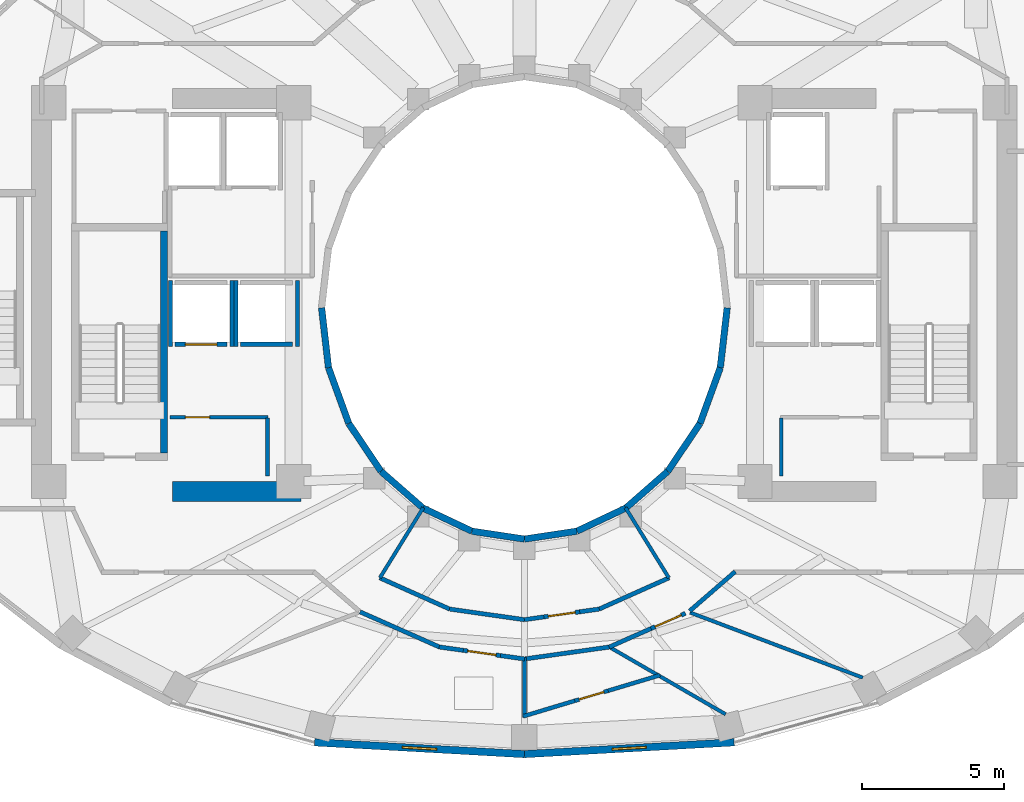
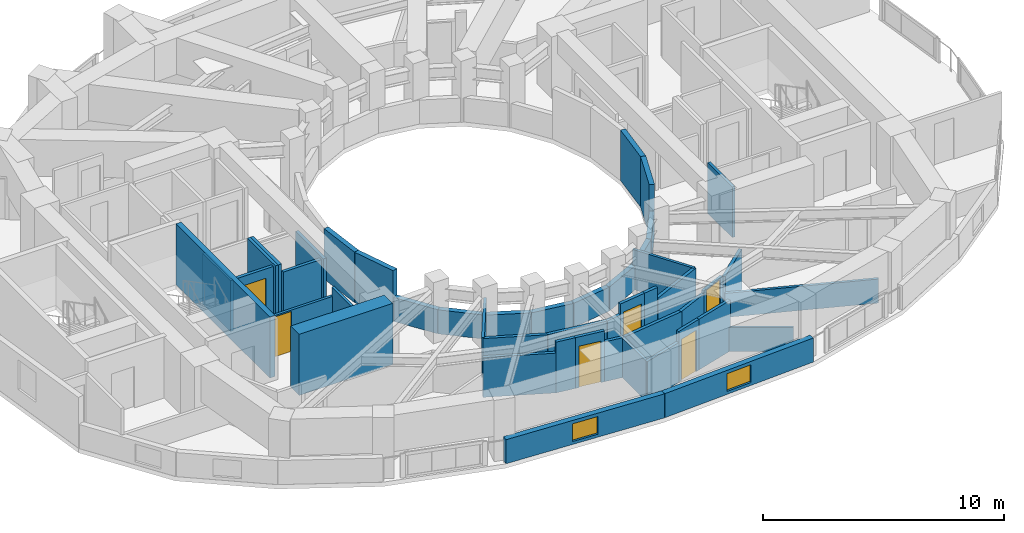
# One storey, part 14 of 20: 47 walls, 6 doors, 2 windows, 8 openings.
"""IFC4 building model written with IfcOpenShell, lengths in metres."""

from ifc_helpers import new_model, si_unit, direction, frame, frame_2d, origin, place, context, subcontext, project, spatial, rectangle, extrude, material, layer, layer_set, type_object, element, fill, save


model = new_model("IFC4")

# Units and contexts
model_context = context("Model", 3, precision=1e-05, world=origin(), true_north=direction((0.0, 1.0)))
body_context = subcontext(model_context, "Body", "Model", "MODEL_VIEW")
ifc_project = project(units=[si_unit("LENGTHUNIT", "METRE"), si_unit("AREAUNIT", "SQUARE_METRE"), si_unit("VOLUMEUNIT", "CUBIC_METRE"), si_unit("PLANEANGLEUNIT", "RADIAN"), si_unit("MASSUNIT", "GRAM", prefix="KILO")], contexts=[model_context])

# Site, building, storey
site_placement = place(None, origin())
site = spatial("IfcSite", under=ifc_project, at=site_placement, CompositionType="ELEMENT")
building_placement = place(site_placement, origin())
building = spatial("IfcBuilding", under=site, at=building_placement, Name="Solvane Sanctuary Tower", CompositionType="ELEMENT")
storey_placement = place(building_placement, frame((0.0, 0.0, 159.10009765625)))
storey = spatial("IfcBuildingStorey", under=building, at=storey_placement, Name="L48", CompositionType="ELEMENT", Elevation=159.10009765625)

# Walls
ifc_material_1 = material(Name="Concrete C60/75", Category="concrete")
ifc_layer_1 = layer(ifc_material_1, 0.699951171875, Name="Concrete C60/75")
ifc_layer_set_1 = layer_set([ifc_layer_1], Name="Concrete C60/75")
wall_type_1 = type_object("IfcWallType", Name="Wall W-CORE-700", PredefinedType="SHEAR", material=ifc_layer_set_1)
wall_1_placement = place(storey_placement, frame((19.64990234375, 16.550048828125, 0.0), z_axis=(0.0, 0.0, 1.0), x_axis=(1.0, 0.0, 0.0)))
element("IfcWall", 1, at=wall_1_placement, inside=storey, type_object=wall_type_1, Name="L48 Core Shear Wall WC-S", PredefinedType="SHEAR", context=body_context, shape_type="SweptSolid", body=[
    extrude(rectangle(XDim=4.5, YDim=0.699951171875, at=frame_2d((2.25, 0.0))), origin(), (0.0, 0.0, 1.0), 3.099853515625),
])
ifc_material_2 = material(Name="Acoustic Gypsum Partition Board")
ifc_layer_2 = layer(ifc_material_2, 0.14990234375, Name="Acoustic Gypsum Partition Board")
ifc_layer_set_2 = layer_set([ifc_layer_2], Name="Acoustic Gypsum Partition Board")
wall_type_2 = type_object("IfcWallType", Name="Wall W-CORR-150", PredefinedType="PARTITIONING", material=ifc_layer_set_2)
wall_2_placement = place(storey_placement, frame((37.806640625, 12.35791015625, 0.0), z_axis=(0.0, 0.0, 1.0), x_axis=(0.756055312247, 0.654507727092, 0.0)))
element("IfcWall", 2, at=wall_2_placement, inside=storey, type_object=wall_type_2, Name="L48 SE Corner Throat Wall", PredefinedType="PARTITIONING", context=body_context, shape_type="SweptSolid", body=[
    extrude(rectangle(XDim=2.11083984375, YDim=0.14990234375, at=frame_2d((1.055419921875, 0.0))), origin(), (0.0, 0.0, 1.0), 2.018798828125),
])
wall_3_placement = place(storey_placement, frame((26.9189453125, 13.520751953125, 0.0), z_axis=(0.0, 0.0, 1.0), x_axis=(0.912888568324, -0.408208845842, 0.0)))
element("IfcWall", 3, at=wall_3_placement, inside=storey, type_object=wall_type_2, Name="L48 Inner Light-Well Corridor Wall S1", PredefinedType="PARTITIONING", context=body_context, shape_type="SweptSolid", body=[
    extrude(rectangle(XDim=2.690185546875, YDim=0.14990234375, at=frame_2d((1.34521484375, 0.0))), origin(), (0.0, 0.0, 1.0), 2.018798828125),
])
wall_4_placement = place(storey_placement, frame((29.371337890625, 12.423583984375, 0.0), z_axis=(0.0, 0.0, 1.0), x_axis=(0.990066775667, -0.1405979364, 0.0)))
element("IfcWall", 4, at=wall_4_placement, inside=storey, type_object=wall_type_2, Name="L48 Inner Light-Well Corridor Wall S1", PredefinedType="PARTITIONING", context=body_context, shape_type="SweptSolid", body=[
    extrude(rectangle(XDim=2.65673828125, YDim=0.14990234375, at=frame_2d((1.328369140625, 0.0))), origin(), (0.0, 0.0, 1.0), 2.018798828125),
])
wall_5_placement = place(storey_placement, frame((31.998291015625, 12.050048828125, 0.0), z_axis=(0.0, 0.0, 1.0), x_axis=(0.990082845611, 0.140484728093, 0.0)))
element("IfcWall", 5, at=wall_5_placement, inside=storey, type_object=wall_type_2, Name="L48 Inner Light-Well Corridor Wall S1", PredefinedType="PARTITIONING", context=body_context, shape_type="SweptSolid", body=[
    extrude(rectangle(XDim=0.693359375, YDim=0.14990234375, at=frame_2d((0.3466796875, 0.0))), origin(), (0.0, 0.0, 1.0), 2.018798828125),
])

# Wall, opening, door
wall_6_placement = place(storey_placement, frame((32.684814453125, 12.1474609375, 0.0), z_axis=(0.0, 0.0, 1.0), x_axis=(0.990049212475, 0.140721557967, 0.0)))
wall_6 = element("IfcWall", 6, at=wall_6_placement, inside=storey, type_object=wall_type_2, Name="L48 Inner Light-Well Corridor Wall S1", PredefinedType="PARTITIONING", context=body_context, shape_type="SweptSolid", body=[
    extrude(rectangle(XDim=1.27001953125, YDim=0.14990234375, at=frame_2d((0.635009765625, 0.0))), origin(), (0.0, 0.0, 1.0), 2.574951171875),
])
opening_1_placement = place(wall_6_placement, frame((0.159912109375, 0.0, 0.0)))
opening_1 = element("IfcOpeningElement", 7, at=opening_1_placement, cuts=wall_6, Name="Opening D-L48-17", PredefinedType="OPENING", context=body_context, shape_type="SweptSolid", body=[
    extrude(rectangle(XDim=0.949951171875, YDim=2.10009765625, at=frame_2d((0.47509765625, 1.050048828125))), frame((0.0, 0.0849609375, 0.0), z_axis=(0.0, -1.0, 0.0), x_axis=(1.0, 0.0, 0.0)), (0.0, 0.0, 1.0), 0.169921875),
])
ifc_material_3 = material(Name="Engineered Tropical Hardwood", Category="wood")
door_type_1 = type_object("IfcDoorType", Name="Door D-ROOM-950", OperationType="NOTDEFINED", PredefinedType="DOOR", material=ifc_material_3)
door_1_placement = place(opening_1_placement, origin())
door_1 = element("IfcDoor", 8, at=door_1_placement, inside=storey, type_object=door_type_1, Name="L48 Inner Light-Well Salon Door S1", OperationType="SINGLE_SWING_RIGHT", OverallHeight=2.10009765625, OverallWidth=0.949951171875, PredefinedType="DOOR", context=body_context, shape_type="SweptSolid", body=[
    extrude(rectangle(XDim=0.949951171875, YDim=2.10009765625, at=frame_2d((0.47509765625, 1.050048828125))), frame((0.0, 0.02490234375, 0.0), z_axis=(0.0, -1.0, 0.0), x_axis=(1.0, 0.0, 0.0)), (0.0, 0.0, 1.0), 0.050048828125),
])
fill(opening_1, door_1)

# Walls
wall_7_placement = place(storey_placement, frame((33.942138671875, 12.326171875, 0.0), z_axis=(0.0, 0.0, 1.0), x_axis=(0.990082845611, 0.140484728093, 0.0)))
element("IfcWall", 9, at=wall_7_placement, inside=storey, type_object=wall_type_2, Name="L48 Inner Light-Well Corridor Wall S1", PredefinedType="PARTITIONING", context=body_context, shape_type="SweptSolid", body=[
    extrude(rectangle(XDim=0.693359375, YDim=0.14990234375, at=frame_2d((0.3466796875, 0.0))), origin(), (0.0, 0.0, 1.0), 2.574951171875),
])
wall_8_placement = place(storey_placement, frame((34.625244140625, 12.422607421875, 0.0), z_axis=(0.0, 0.0, 1.0), x_axis=(0.912888568324, 0.408208845842, 0.0)))
element("IfcWall", 10, at=wall_8_placement, inside=storey, type_object=wall_type_2, Name="L48 Inner Light-Well Corridor Wall S1", PredefinedType="PARTITIONING", context=body_context, shape_type="SweptSolid", body=[
    extrude(rectangle(XDim=2.690185546875, YDim=0.14990234375, at=frame_2d((1.34521484375, 0.0))), origin(), (0.0, 0.0, 1.0), 2.018798828125),
])
wall_9_placement = place(storey_placement, frame((31.950439453125, 10.6630859375, 0.0), z_axis=(0.0, 0.0, 1.0), x_axis=(0.990234434447, 0.139412211929, 0.0)))
element("IfcWall", 11, at=wall_9_placement, inside=storey, type_object=wall_type_2, Name="L48 En-suite Inner Wall S1", PredefinedType="PARTITIONING", context=body_context, shape_type="SweptSolid", body=[
    extrude(rectangle(XDim=3.11376953125, YDim=0.14990234375, at=frame_2d((1.556884765625, 0.0))), origin(), (0.0, 0.0, 1.0), 2.018798828125),
])
wall_10_placement = place(storey_placement, frame((26.22802734375, 12.326171875, 0.0), z_axis=(0.0, 0.0, 1.0), x_axis=(0.914324470734, -0.404982422108, 0.0)))
element("IfcWall", 12, at=wall_10_placement, inside=storey, type_object=wall_type_2, Name="L48 Unit Corridor Wall S1", PredefinedType="PARTITIONING", context=body_context, shape_type="SweptSolid", body=[
    extrude(rectangle(XDim=3.0576171875, YDim=0.14990234375, at=frame_2d((1.52880859375, 0.0))), origin(), (0.0, 0.0, 1.0), 2.018798828125),
])
wall_11_placement = place(storey_placement, frame((29.008056640625, 11.09228515625, 0.0), z_axis=(0.0, 0.0, 1.0), x_axis=(0.990238723834, -0.139381741342, 0.0)))
element("IfcWall", 13, at=wall_11_placement, inside=storey, type_object=wall_type_2, Name="L48 Unit Corridor Wall S1", PredefinedType="PARTITIONING", context=body_context, shape_type="SweptSolid", body=[
    extrude(rectangle(XDim=0.854736328125, YDim=0.14990234375, at=frame_2d((0.42724609375, 0.0))), origin(), (0.0, 0.0, 1.0), 2.574951171875),
])

# Wall, opening, door
wall_12_placement = place(storey_placement, frame((29.8544921875, 10.97314453125, 0.0), z_axis=(0.0, 0.0, 1.0), x_axis=(0.990254187593, -0.139271834751, 0.0)))
wall_12 = element("IfcWall", 14, at=wall_12_placement, inside=storey, type_object=wall_type_2, Name="L48 Unit Corridor Wall S1", PredefinedType="PARTITIONING", context=body_context, shape_type="SweptSolid", body=[
    extrude(rectangle(XDim=1.320068359375, YDim=0.14990234375, at=frame_2d((0.66015625, 0.0))), origin(), (0.0, 0.0, 1.0), 2.574951171875),
])
opening_2_placement = place(wall_12_placement, frame((0.159912109375, 0.0, 0.0)))
opening_2 = element("IfcOpeningElement", 15, at=opening_2_placement, cuts=wall_12, Name="Opening D-L48-22", PredefinedType="OPENING", context=body_context, shape_type="SweptSolid", body=[
    extrude(rectangle(XDim=1.0, YDim=2.10009765625, at=frame_2d((0.5, 1.050048828125))), frame((0.0, 0.0849609375, 0.0), z_axis=(0.0, -1.0, 0.0), x_axis=(1.0, 0.0, 0.0)), (0.0, 0.0, 1.0), 0.169921875),
])
door_type_2 = type_object("IfcDoorType", Name="Door D-UNIT", OperationType="NOTDEFINED", PredefinedType="DOOR", material=ifc_material_3)
door_2_placement = place(opening_2_placement, origin())
door_2 = element("IfcDoor", 16, at=door_2_placement, inside=storey, type_object=door_type_2, Name="L48 Unit Entrance Door S1", OperationType="SINGLE_SWING_LEFT", OverallHeight=2.10009765625, OverallWidth=1.0, PredefinedType="DOOR", context=body_context, shape_type="SweptSolid", body=[
    extrude(rectangle(XDim=1.0, YDim=2.10009765625, at=frame_2d((0.5, 1.050048828125))), frame((0.0, 0.02490234375, 0.0), z_axis=(0.0, -1.0, 0.0), x_axis=(1.0, 0.0, 0.0)), (0.0, 0.0, 1.0), 0.050048828125),
])
fill(opening_2, door_2)

# Walls
wall_13_placement = place(storey_placement, frame((31.16162109375, 10.789306640625, 0.0), z_axis=(0.0, 0.0, 1.0), x_axis=(0.990199264419, -0.139661794145, 0.0)))
element("IfcWall", 17, at=wall_13_placement, inside=storey, type_object=wall_type_2, Name="L48 Unit Corridor Wall S1", PredefinedType="PARTITIONING", context=body_context, shape_type="SweptSolid", body=[
    extrude(rectangle(XDim=0.854736328125, YDim=0.14990234375, at=frame_2d((0.42724609375, 0.0))), origin(), (0.0, 0.0, 1.0), 2.018798828125),
])
wall_14_placement = place(storey_placement, frame((34.976318359375, 11.087890625, 0.0), z_axis=(0.0, 0.0, 1.0), x_axis=(0.914324480558, 0.404982399928, 0.0)))
element("IfcWall", 18, at=wall_14_placement, inside=storey, type_object=wall_type_2, Name="L48 Unit Corridor Wall S2", PredefinedType="PARTITIONING", context=body_context, shape_type="SweptSolid", body=[
    extrude(rectangle(XDim=1.607177734375, YDim=0.14990234375, at=frame_2d((0.8037109375, 0.0))), origin(), (0.0, 0.0, 1.0), 2.018798828125),
])

# Wall, opening, door
wall_15_placement = place(storey_placement, frame((36.44580078125, 11.73876953125, 0.0), z_axis=(0.0, 0.0, 1.0), x_axis=(0.914314172667, 0.405005671145, 0.0)))
wall_15 = element("IfcWall", 19, at=wall_15_placement, inside=storey, type_object=wall_type_2, Name="L48 Unit Corridor Wall S2", PredefinedType="PARTITIONING", context=body_context, shape_type="SweptSolid", body=[
    extrude(rectangle(XDim=1.320068359375, YDim=0.14990234375, at=frame_2d((0.66015625, 0.0))), origin(), (0.0, 0.0, 1.0), 2.159912109375),
])
opening_3_placement = place(wall_15_placement, frame((0.159912109375, 0.0, 0.0)))
opening_3 = element("IfcOpeningElement", 20, at=opening_3_placement, cuts=wall_15, Name="Opening D-L48-23", PredefinedType="OPENING", context=body_context, shape_type="SweptSolid", body=[
    extrude(rectangle(XDim=1.0, YDim=2.10009765625, at=frame_2d((0.5, 1.050048828125))), frame((0.0, 0.0849609375, 0.0), z_axis=(0.0, -1.0, 0.0), x_axis=(1.0, 0.0, 0.0)), (0.0, 0.0, 1.0), 0.169921875),
])
door_3_placement = place(opening_3_placement, origin())
door_3 = element("IfcDoor", 21, at=door_3_placement, inside=storey, type_object=door_type_2, Name="L48 Unit Entrance Door S2", OperationType="SINGLE_SWING_RIGHT", OverallHeight=2.10009765625, OverallWidth=1.0, PredefinedType="DOOR", context=body_context, shape_type="SweptSolid", body=[
    extrude(rectangle(XDim=1.0, YDim=2.10009765625, at=frame_2d((0.5, 1.050048828125))), frame((0.0, 0.02490234375, 0.0), z_axis=(0.0, -1.0, 0.0), x_axis=(1.0, 0.0, 0.0)), (0.0, 0.0, 1.0), 0.050048828125),
])
fill(opening_3, door_3)

# Wall, opening, window
ifc_material_4 = material(Name="Precast concrete C40/50", Category="concrete")
ifc_layer_3 = layer(ifc_material_4, 0.260009765625, Name="Precast concrete C40/50")
ifc_layer_set_3 = layer_set([ifc_layer_3], Name="Precast concrete C40/50")
wall_type_3 = type_object("IfcWallType", Name="Wall W-EXT-250", PredefinedType="STANDARD", material=ifc_layer_set_3)
wall_16_placement = place(storey_placement, frame((24.634765625, 7.743408203125, 0.0), z_axis=(0.0, 0.0, 1.0), x_axis=(0.998417906562, -0.056228852534, 0.0)))
wall_16 = element("IfcWall", 22, at=wall_16_placement, inside=storey, type_object=wall_type_3, Name="L48 Ceramic-Printed Facade Wall 17", PredefinedType="STANDARD", context=body_context, shape_type="SweptSolid", body=[
    extrude(rectangle(XDim=7.376953125, YDim=0.260009765625, at=frame_2d((3.6884765625, 0.0))), origin(), (0.0, 0.0, 1.0), 1.219970703125),
])
opening_4_placement = place(wall_16_placement, frame((3.08837890625, 0.0, 0.14990234375)))
opening_4 = element("IfcOpeningElement", 23, at=opening_4_placement, cuts=wall_16, Name="Opening WN-OPER-1200", PredefinedType="OPENING", context=body_context, shape_type="SweptSolid", body=[
    extrude(rectangle(XDim=1.199951171875, YDim=0.89990234375, at=frame_2d((0.60009765625, 0.449951171875))), frame((0.0, 0.139892578125, 0.0), z_axis=(0.0, -1.0, 0.0), x_axis=(1.0, 0.0, 0.0)), (0.0, 0.0, 1.0), 0.280029296875),
])
ifc_material_5 = material(Name="Dark Ceramic-Fritted Low-E Glass", Category="glass")
window_type = type_object("IfcWindowType", Name="Window WN-OPER-1200", PartitioningType="SINGLE_PANEL", PredefinedType="WINDOW", material=ifc_material_5)
window_1_placement = place(opening_4_placement, origin())
window_1 = element("IfcWindow", 24, at=window_1_placement, inside=storey, type_object=window_type, Name="L48 Operable Facade Window 17", OverallHeight=0.89990234375, OverallWidth=1.199951171875, PartitioningType="SINGLE_PANEL", PredefinedType="WINDOW", context=body_context, shape_type="SweptSolid", body=[
    extrude(rectangle(XDim=1.199951171875, YDim=0.89990234375, at=frame_2d((0.60009765625, 0.449951171875))), frame((0.0, 0.030029296875, 0.0), z_axis=(0.0, -1.0, 0.0), x_axis=(1.0, 0.0, 0.0)), (0.0, 0.0, 1.0), 0.06005859375),
])
fill(opening_4, window_1)

wall_17_placement = place(storey_placement, frame((32.0, 7.32861328125, 0.0), z_axis=(0.0, 0.0, 1.0), x_axis=(0.998417906562, 0.056228852534, 0.0)))
wall_17 = element("IfcWall", 25, at=wall_17_placement, inside=storey, type_object=wall_type_3, Name="L48 Ceramic-Printed Facade Wall 18", PredefinedType="STANDARD", context=body_context, shape_type="SweptSolid", body=[
    extrude(rectangle(XDim=7.376953125, YDim=0.260009765625, at=frame_2d((3.6884765625, 0.0))), origin(), (0.0, 0.0, 1.0), 1.219970703125),
])
opening_5_placement = place(wall_17_placement, frame((3.08837890625, 0.0, 0.14990234375)))
opening_5 = element("IfcOpeningElement", 26, at=opening_5_placement, cuts=wall_17, Name="Opening WN-OPER-1200", PredefinedType="OPENING", context=body_context, shape_type="SweptSolid", body=[
    extrude(rectangle(XDim=1.199951171875, YDim=0.89990234375, at=frame_2d((0.60009765625, 0.449951171875))), frame((0.0, 0.139892578125, 0.0), z_axis=(0.0, -1.0, 0.0), x_axis=(1.0, 0.0, 0.0)), (0.0, 0.0, 1.0), 0.280029296875),
])
window_2_placement = place(opening_5_placement, origin())
window_2 = element("IfcWindow", 27, at=window_2_placement, inside=storey, type_object=window_type, Name="L48 Operable Facade Window 18", OverallHeight=0.89990234375, OverallWidth=1.199951171875, PartitioningType="SINGLE_PANEL", PredefinedType="WINDOW", context=body_context, shape_type="SweptSolid", body=[
    extrude(rectangle(XDim=1.199951171875, YDim=0.89990234375, at=frame_2d((0.60009765625, 0.449951171875))), frame((0.0, 0.030029296875, 0.0), z_axis=(0.0, -1.0, 0.0), x_axis=(1.0, 0.0, 0.0)), (0.0, 0.0, 1.0), 0.06005859375),
])
fill(opening_5, window_2)

# Walls
ifc_layer_4 = layer(ifc_material_4, 0.22998046875, Name="Precast concrete C40/50")
ifc_layer_set_4 = layer_set([ifc_layer_4], Name="Precast concrete C40/50")
wall_type_4 = type_object("IfcWallType", Name="Wall W-EXT-SP220", PredefinedType="STANDARD", material=ifc_layer_set_4)
wall_18_placement = place(storey_placement, frame((24.8798828125, 23.0, 0.0), z_axis=(0.0, 0.0, 1.0), x_axis=(0.114711713601, -0.993398823617, 0.0)))
element("IfcWall", 28, at=wall_18_placement, inside=storey, type_object=wall_type_4, Name="L48 Central Light-Well Wall 12", PredefinedType="STANDARD", context=body_context, shape_type="SweptSolid", body=[
    extrude(rectangle(XDim=2.115478515625, YDim=0.22998046875, at=frame_2d((1.0576171875, 0.0))), origin(), (0.0, 0.0, 1.0), 2.559814453125),
])
wall_19_placement = place(storey_placement, frame((25.12255859375, 20.8984375, 0.0), z_axis=(0.0, 0.0, 1.0), x_axis=(0.341423187295, -0.93990968033, 0.0)))
element("IfcWall", 29, at=wall_19_placement, inside=storey, type_object=wall_type_4, Name="L48 Central Light-Well Wall 13", PredefinedType="STANDARD", context=body_context, shape_type="SweptSolid", body=[
    extrude(rectangle(XDim=2.083740234375, YDim=0.22998046875, at=frame_2d((1.0419921875, 0.0))), origin(), (0.0, 0.0, 1.0), 2.559814453125),
])
wall_20_placement = place(storey_placement, frame((25.833984375, 18.93994140625, 0.0), z_axis=(0.0, 0.0, 1.0), x_axis=(0.558197800898, -0.829707909492, 0.0)))
element("IfcWall", 30, at=wall_20_placement, inside=storey, type_object=wall_type_4, Name="L48 Central Light-Well Wall 14", PredefinedType="STANDARD", context=body_context, shape_type="SweptSolid", body=[
    extrude(rectangle(XDim=2.02685546875, YDim=0.22998046875, at=frame_2d((1.013427734375, 0.0))), origin(), (0.0, 0.0, 1.0), 1.219970703125),
])
wall_21_placement = place(storey_placement, frame((26.96533203125, 17.25830078125, 0.0), z_axis=(0.0, 0.0, 1.0), x_axis=(0.752576694707, -0.658504607869, 0.0)))
element("IfcWall", 31, at=wall_21_placement, inside=storey, type_object=wall_type_4, Name="L48 Central Light-Well Wall 15", PredefinedType="STANDARD", context=body_context, shape_type="SweptSolid", body=[
    extrude(rectangle(XDim=1.95947265625, YDim=0.22998046875, at=frame_2d((0.979736328125, 0.0))), origin(), (0.0, 0.0, 1.0), 1.219970703125),
])
wall_22_placement = place(storey_placement, frame((28.43994140625, 15.968017578125, 0.0), z_axis=(0.0, 0.0, 1.0), x_axis=(0.904179699603, -0.427152280606, 0.0)))
element("IfcWall", 32, at=wall_22_placement, inside=storey, type_object=wall_type_4, Name="L48 Central Light-Well Wall 16", PredefinedType="STANDARD", context=body_context, shape_type="SweptSolid", body=[
    extrude(rectangle(XDim=1.899169921875, YDim=0.22998046875, at=frame_2d((0.94970703125, 0.0))), origin(), (0.0, 0.0, 1.0), 1.219970703125),
])
for number, where, z_axis, x_axis, name in (
    (33, (30.1572265625, 15.15673828125, 0.0), (0.0, 0.0, 1.0), (0.988901730308, -0.148571086668, 0.0), "L48 Central Light-Well Wall 17"),
    (34, (32.0, 14.8798828125, 0.0), (0.0, 0.0, 1.0), (0.988901730308, 0.148571086668, 0.0), "L48 Central Light-Well Wall 18"),
):
    element("IfcWall", number, at=place(storey_placement, frame(where, z_axis=z_axis, x_axis=x_axis)), inside=storey, type_object=wall_type_4, Name=name, PredefinedType="STANDARD", context=body_context, shape_type="SweptSolid", body=[
        extrude(rectangle(XDim=1.863525390625, YDim=0.22998046875, at=frame_2d((0.931640625, 0.0))), origin(), (0.0, 0.0, 1.0), 1.219970703125),
    ])
wall_23_placement = place(storey_placement, frame((33.8427734375, 15.15673828125, 0.0), z_axis=(0.0, 0.0, 1.0), x_axis=(0.904179699603, 0.427152280606, 0.0)))
element("IfcWall", 35, at=wall_23_placement, inside=storey, type_object=wall_type_4, Name="L48 Central Light-Well Wall 19", PredefinedType="STANDARD", context=body_context, shape_type="SweptSolid", body=[
    extrude(rectangle(XDim=1.899169921875, YDim=0.22998046875, at=frame_2d((0.94970703125, 0.0))), origin(), (0.0, 0.0, 1.0), 1.219970703125),
])
wall_24_placement = place(storey_placement, frame((35.56005859375, 15.968017578125, 0.0), z_axis=(0.0, 0.0, 1.0), x_axis=(0.752576694707, 0.658504607869, 0.0)))
element("IfcWall", 36, at=wall_24_placement, inside=storey, type_object=wall_type_4, Name="L48 Central Light-Well Wall 20", PredefinedType="STANDARD", context=body_context, shape_type="SweptSolid", body=[
    extrude(rectangle(XDim=1.95947265625, YDim=0.22998046875, at=frame_2d((0.979736328125, 0.0))), origin(), (0.0, 0.0, 1.0), 1.219970703125),
])
wall_25_placement = place(storey_placement, frame((37.03466796875, 17.25830078125, 0.0), z_axis=(0.0, 0.0, 1.0), x_axis=(0.558197800898, 0.829707909492, 0.0)))
element("IfcWall", 37, at=wall_25_placement, inside=storey, type_object=wall_type_4, Name="L48 Central Light-Well Wall 21", PredefinedType="STANDARD", context=body_context, shape_type="SweptSolid", body=[
    extrude(rectangle(XDim=2.02685546875, YDim=0.22998046875, at=frame_2d((1.013427734375, 0.0))), origin(), (0.0, 0.0, 1.0), 1.219970703125),
])
wall_26_placement = place(storey_placement, frame((38.166015625, 18.93994140625, 0.0), z_axis=(0.0, 0.0, 1.0), x_axis=(0.341423187295, 0.93990968033, 0.0)))
element("IfcWall", 38, at=wall_26_placement, inside=storey, type_object=wall_type_4, Name="L48 Central Light-Well Wall 22", PredefinedType="STANDARD", context=body_context, shape_type="SweptSolid", body=[
    extrude(rectangle(XDim=2.083740234375, YDim=0.22998046875, at=frame_2d((1.0419921875, 0.0))), origin(), (0.0, 0.0, 1.0), 2.559814453125),
])
wall_27_placement = place(storey_placement, frame((38.87744140625, 20.8984375, 0.0), z_axis=(0.0, 0.0, 1.0), x_axis=(0.114711713601, 0.993398823617, 0.0)))
element("IfcWall", 39, at=wall_27_placement, inside=storey, type_object=wall_type_4, Name="L48 Central Light-Well Wall 23", PredefinedType="STANDARD", context=body_context, shape_type="SweptSolid", body=[
    extrude(rectangle(XDim=2.115478515625, YDim=0.22998046875, at=frame_2d((1.0576171875, 0.0))), origin(), (0.0, 0.0, 1.0), 2.559814453125),
])

# Wall, opening, door
ifc_layer_5 = layer(ifc_material_2, 0.125, Name="Acoustic Gypsum Partition Board")
ifc_layer_set_5 = layer_set([ifc_layer_5], Name="Acoustic Gypsum Partition Board")
wall_type_5 = type_object("IfcWallType", Name="Wall W-PART-125", PredefinedType="PARTITIONING", material=ifc_layer_set_5)
wall_28_placement = place(storey_placement, frame((19.550048828125, 19.159912109375, 0.0), z_axis=(0.0, 0.0, 1.0), x_axis=(1.0, 0.0, 0.0)))
wall_28 = element("IfcWall", 40, at=wall_28_placement, inside=storey, type_object=wall_type_5, Name="L48 Reclaimed Room Partition PLW", PredefinedType="PARTITIONING", context=body_context, shape_type="SweptSolid", body=[
    extrude(rectangle(XDim=3.449951171875, YDim=0.125, at=frame_2d((1.72509765625, 0.0))), origin(), (0.0, 0.0, 1.0), 2.119873046875),
])
opening_6_placement = place(wall_28_placement, frame((0.550048828125, 0.0, 0.0)))
opening_6 = element("IfcOpeningElement", 41, at=opening_6_placement, cuts=wall_28, Name="Opening D-L48-06", PredefinedType="OPENING", context=body_context, shape_type="SweptSolid", body=[
    extrude(rectangle(XDim=0.85009765625, YDim=2.050048828125, at=frame_2d((0.425048828125, 1.02490234375))), frame((0.0, 0.072509765625, 0.0), z_axis=(0.0, -1.0, 0.0), x_axis=(1.0, 0.0, 0.0)), (0.0, 0.0, 1.0), 0.14501953125),
])
ifc_material_6 = material(Name="Architectural Stainless Steel 316", Category="steel")
door_type_3 = type_object("IfcDoorType", Name="Door D-RISER", OperationType="NOTDEFINED", PredefinedType="DOOR", material=ifc_material_6)
door_4_placement = place(opening_6_placement, origin())
door_4 = element("IfcDoor", 42, at=door_4_placement, inside=storey, type_object=door_type_3, Name="L48 Reclaimed Room Door PLW-1", OperationType="SINGLE_SWING_LEFT", OverallHeight=2.050048828125, OverallWidth=0.85009765625, PredefinedType="DOOR", context=body_context, shape_type="SweptSolid", body=[
    extrude(rectangle(XDim=0.85009765625, YDim=2.050048828125, at=frame_2d((0.425048828125, 1.02490234375))), frame((0.0, 0.02490234375, 0.0), z_axis=(0.0, -1.0, 0.0), x_axis=(1.0, 0.0, 0.0)), (0.0, 0.0, 1.0), 0.050048828125),
])
fill(opening_6, door_4)

# Walls
for number, where, z_axis, x_axis, name in (
    (43, (22.97998046875, 17.10009765625, 0.0), (0.0, 0.0, 1.0), (0.0, 1.0, 0.0), "L48 Reclaimed Room Closer Wall PLW-1"),
    (44, (41.02001953125, 17.10009765625, 0.0), (0.0, 0.0, 1.0), (0.0, 1.0, 0.0), "L48 Reclaimed Room Closer Wall PLE-1"),
):
    element("IfcWall", number, at=place(storey_placement, frame(where, z_axis=z_axis, x_axis=x_axis)), inside=storey, type_object=wall_type_5, Name=name, PredefinedType="PARTITIONING", context=body_context, shape_type="SweptSolid", body=[
        extrude(rectangle(XDim=2.039794921875, YDim=0.125, at=frame_2d((1.02001953125, 0.0))), origin(), (0.0, 0.0, 1.0), 2.574951171875),
    ])
for number, where, z_axis, x_axis, name in (
    (45, (28.449951171875, 15.985107421875, 0.0), (0.0, 0.0, 1.0), (-0.525627246902, -0.850714991824, 0.0), "L48 Inner Light-Well Radial Wall 240"),
    (46, (35.550048828125, 15.985107421875, 0.0), (0.0, 0.0, 1.0), (0.525627246902, -0.850714991824, 0.0), "L48 Inner Light-Well Radial Wall 300"),
):
    element("IfcWall", number, at=place(storey_placement, frame(where, z_axis=z_axis, x_axis=x_axis)), inside=storey, type_object=wall_type_5, Name=name, PredefinedType="PARTITIONING", context=body_context, shape_type="SweptSolid", body=[
        extrude(rectangle(XDim=2.901123046875, YDim=0.125, at=frame_2d((1.45068359375, 0.0))), origin(), (0.0, 0.0, 1.0), 2.018798828125),
    ])
wall_29_placement = place(storey_placement, frame((35.03173828125, 11.0625, 0.0), z_axis=(0.0, 0.0, 1.0), x_axis=(0.865627016774, -0.500689392568, 0.0)))
element("IfcWall", 47, at=wall_29_placement, inside=storey, type_object=wall_type_5, Name="L48 Radial Compartment Wall 285", PredefinedType="PARTITIONING", context=body_context, shape_type="SweptSolid", body=[
    extrude(rectangle(XDim=4.66162109375, YDim=0.125, at=frame_2d((2.330810546875, 0.0))), origin(), (0.0, 0.0, 1.0), 1.219970703125),
])
wall_30_placement = place(storey_placement, frame((37.81640625, 12.302490234375, 0.0), z_axis=(0.0, 0.0, 1.0), x_axis=(0.935601484289, -0.353057874288, 0.0)))
element("IfcWall", 48, at=wall_30_placement, inside=storey, type_object=wall_type_5, Name="L48 Radial Compartment Wall 300", PredefinedType="PARTITIONING", context=body_context, shape_type="SweptSolid", body=[
    extrude(rectangle(XDim=6.484130859375, YDim=0.125, at=frame_2d((3.2421875, 0.0))), origin(), (0.0, 0.0, 1.0), 1.219970703125),
])

# Wall, opening, door
ifc_material_7 = material(Name="Concrete C50/60", Category="concrete")
ifc_layer_6 = layer(ifc_material_7, 0.14990234375, Name="Concrete C50/60")
ifc_layer_set_6 = layer_set([ifc_layer_6], Name="Concrete C50/60")
wall_type_6 = type_object("IfcWallType", Name="Wall W-SHAFT-150", PredefinedType="SOLIDWALL", material=ifc_layer_set_6)
wall_31_placement = place(storey_placement, frame((19.739990234375, 21.719970703125, 0.0), z_axis=(0.0, 0.0, 1.0), x_axis=(1.0, 0.0, 0.0)))
wall_31 = element("IfcWall", 49, at=wall_31_placement, inside=storey, type_object=wall_type_6, Name="L48 PM-1 Lift Shaft Wall F", PredefinedType="SOLIDWALL", context=body_context, shape_type="SweptSolid", body=[
    extrude(rectangle(XDim=1.820068359375, YDim=0.14990234375, at=frame_2d((0.91015625, 0.0))), origin(), (0.0, 0.0, 1.0), 2.574951171875),
])
opening_7_placement = place(wall_31_placement, frame((0.360107421875, 0.0, 0.0)))
opening_7 = element("IfcOpeningElement", 50, at=opening_7_placement, cuts=wall_31, Name="Opening LD-L48-01", PredefinedType="OPENING", context=body_context, shape_type="SweptSolid", body=[
    extrude(rectangle(XDim=1.10009765625, YDim=2.10009765625, at=frame_2d((0.550048828125, 1.050048828125))), frame((0.0, 0.0849609375, 0.0), z_axis=(0.0, -1.0, 0.0), x_axis=(1.0, 0.0, 0.0)), (0.0, 0.0, 1.0), 0.169921875),
])
door_type_4 = type_object("IfcDoorType", Name="Door LD-PASS-1100", OperationType="NOTDEFINED", PredefinedType="DOOR", material=ifc_material_6)
door_5_placement = place(opening_7_placement, origin())
door_5 = element("IfcDoor", 51, at=door_5_placement, inside=storey, type_object=door_type_4, Name="L48 PM-1 Lift Landing Door", OperationType="DOUBLE_DOOR_SLIDING", OverallHeight=2.10009765625, OverallWidth=1.10009765625, PredefinedType="DOOR", context=body_context, shape_type="SweptSolid", body=[
    extrude(rectangle(XDim=1.10009765625, YDim=2.10009765625, at=frame_2d((0.550048828125, 1.050048828125))), frame((0.0, 0.02490234375, 0.0), z_axis=(0.0, -1.0, 0.0), x_axis=(1.0, 0.0, 0.0)), (0.0, 0.0, 1.0), 0.050048828125),
])
fill(opening_7, door_5)

# Walls
for number, where, z_axis, x_axis, name in (
    (52, (19.570068359375, 21.639892578125, 0.0), (0.0, 0.0, 1.0), (0.0, 1.0, 0.0), "L48 PM-1 Lift Shaft Wall S1"),
    (53, (21.72998046875, 21.639892578125, 0.0), (0.0, 0.0, 1.0), (0.0, 1.0, 0.0), "L48 PM-1 Lift Shaft Wall S2"),
):
    element("IfcWall", number, at=place(storey_placement, frame(where, z_axis=z_axis, x_axis=x_axis)), inside=storey, type_object=wall_type_6, Name=name, PredefinedType="SOLIDWALL", context=body_context, shape_type="SweptSolid", body=[
        extrude(rectangle(XDim=2.320068359375, YDim=0.14990234375, at=frame_2d((1.16015625, 0.0))), origin(), (0.0, 0.0, 1.0), 2.574951171875),
    ])
wall_32_placement = place(storey_placement, frame((22.0400390625, 21.719970703125, 0.0), z_axis=(0.0, 0.0, 1.0), x_axis=(1.0, 0.0, 0.0)))
element("IfcWall", 54, at=wall_32_placement, inside=storey, type_object=wall_type_6, Name="L48 PH-1 Lift Shaft Wall F", PredefinedType="SOLIDWALL", context=body_context, shape_type="SweptSolid", body=[
    extrude(rectangle(XDim=1.820068359375, YDim=0.14990234375, at=frame_2d((0.91015625, 0.0))), origin(), (0.0, 0.0, 1.0), 2.119873046875),
])
wall_33_placement = place(storey_placement, frame((21.8701171875, 21.639892578125, 0.0), z_axis=(0.0, 0.0, 1.0), x_axis=(0.0, 1.0, 0.0)))
element("IfcWall", 55, at=wall_33_placement, inside=storey, type_object=wall_type_6, Name="L48 PH-1 Lift Shaft Wall S1", PredefinedType="SOLIDWALL", context=body_context, shape_type="SweptSolid", body=[
    extrude(rectangle(XDim=2.320068359375, YDim=0.14990234375, at=frame_2d((1.16015625, 0.0))), origin(), (0.0, 0.0, 1.0), 2.574951171875),
])
wall_34_placement = place(storey_placement, frame((24.030029296875, 21.639892578125, 0.0), z_axis=(0.0, 0.0, 1.0), x_axis=(0.0, 1.0, 0.0)))
element("IfcWall", 56, at=wall_34_placement, inside=storey, type_object=wall_type_6, Name="L48 PH-1 Lift Shaft Wall S2", PredefinedType="SOLIDWALL", context=body_context, shape_type="SweptSolid", body=[
    extrude(rectangle(XDim=2.320068359375, YDim=0.14990234375, at=frame_2d((1.16015625, 0.0))), origin(), (0.0, 0.0, 1.0), 2.119873046875),
])
ifc_layer_7 = layer(ifc_material_7, 0.25, Name="Concrete C50/60")
ifc_layer_set_7 = layer_set([ifc_layer_7], Name="Concrete C50/60")
wall_type_7 = type_object("IfcWallType", Name="Wall W-SHAFT-250", PredefinedType="SOLIDWALL", material=ifc_layer_set_7)
wall_35_placement = place(storey_placement, frame((19.35009765625, 17.89501953125, 0.0), z_axis=(0.0, 0.0, 1.0), x_axis=(0.0, 1.0, 0.0)))
element("IfcWall", 57, at=wall_35_placement, inside=storey, type_object=wall_type_7, Name="L48 ST-1 Load-Bearing Shaft Wall E", PredefinedType="SOLIDWALL", context=body_context, shape_type="SweptSolid", body=[
    extrude(rectangle(XDim=7.81005859375, YDim=0.25, at=frame_2d((3.905029296875, 0.0))), origin(), (0.0, 0.0, 1.0), 3.099853515625),
])
ifc_layer_8 = layer(ifc_material_2, 0.139892578125, Name="Acoustic Gypsum Partition Board")
ifc_layer_set_8 = layer_set([ifc_layer_8], Name="Acoustic Gypsum Partition Board")
wall_type_8 = type_object("IfcWallType", Name="Wall W-WET-140", PredefinedType="PLUMBINGWALL", material=ifc_layer_set_8)
wall_36_placement = place(storey_placement, frame((32.0, 10.719970703125, 0.0), z_axis=(0.0, 0.0, 1.0), x_axis=(0.0, -1.0, 0.0)))
element("IfcWall", 58, at=wall_36_placement, inside=storey, type_object=wall_type_8, Name="L48 En-suite Side Partition S1", PredefinedType="PLUMBINGWALL", context=body_context, shape_type="SweptSolid", body=[
    extrude(rectangle(XDim=2.099853515625, YDim=0.139892578125, at=frame_2d((1.0498046875, 0.0))), origin(), (0.0, 0.0, 1.0), 2.018798828125),
])
wall_37_placement = place(storey_placement, frame((31.9521484375, 8.655517578125, 0.0), z_axis=(0.0, 0.0, 1.0), x_axis=(0.957589285646, 0.288136703696, 0.0)))
element("IfcWall", 59, at=wall_37_placement, inside=storey, type_object=wall_type_8, Name="L48 En-suite Bedroom Wall S1", PredefinedType="PLUMBINGWALL", context=body_context, shape_type="SweptSolid", body=[
    extrude(rectangle(XDim=1.902099609375, YDim=0.139892578125, at=frame_2d((0.951171875, 0.0))), origin(), (0.0, 0.0, 1.0), 2.018798828125),
])

# Wall, opening, door
wall_38_placement = place(storey_placement, frame((33.773681640625, 9.20361328125, 0.0), z_axis=(0.0, 0.0, 1.0), x_axis=(0.957578072853, 0.288173965498, 0.0)))
wall_38 = element("IfcWall", 60, at=wall_38_placement, inside=storey, type_object=wall_type_8, Name="L48 En-suite Bedroom Wall S1", PredefinedType="PLUMBINGWALL", context=body_context, shape_type="SweptSolid", body=[
    extrude(rectangle(XDim=1.219970703125, YDim=0.139892578125, at=frame_2d((0.60986328125, 0.0))), origin(), (0.0, 0.0, 1.0), 2.574951171875),
])
opening_8_placement = place(wall_38_placement, frame((0.159912109375, 0.0, 0.0)))
opening_8 = element("IfcOpeningElement", 61, at=opening_8_placement, cuts=wall_38, Name="Opening D-L48-21", PredefinedType="OPENING", context=body_context, shape_type="SweptSolid", body=[
    extrude(rectangle(XDim=0.89990234375, YDim=2.10009765625, at=frame_2d((0.449951171875, 1.050048828125))), frame((0.0, 0.079833984375, 0.0), z_axis=(0.0, -1.0, 0.0), x_axis=(1.0, 0.0, 0.0)), (0.0, 0.0, 1.0), 0.159912109375),
])
door_type_5 = type_object("IfcDoorType", Name="Door D-WET-900", OperationType="NOTDEFINED", PredefinedType="DOOR", material=ifc_material_3)
door_6_placement = place(opening_8_placement, origin())
door_6 = element("IfcDoor", 62, at=door_6_placement, inside=storey, type_object=door_type_5, Name="L48 En-suite Bathroom Door S1", OperationType="SINGLE_SWING_RIGHT", OverallHeight=2.10009765625, OverallWidth=0.89990234375, PredefinedType="DOOR", context=body_context, shape_type="SweptSolid", body=[
    extrude(rectangle(XDim=0.89990234375, YDim=2.10009765625, at=frame_2d((0.449951171875, 1.050048828125))), frame((0.0, 0.02490234375, 0.0), z_axis=(0.0, -1.0, 0.0), x_axis=(1.0, 0.0, 0.0)), (0.0, 0.0, 1.0), 0.050048828125),
])
fill(opening_8, door_6)

# Wall
wall_39_placement = place(storey_placement, frame((34.94189453125, 9.55517578125, 0.0), z_axis=(0.0, 0.0, 1.0), x_axis=(0.957624692509, 0.288019006834, 0.0)))
element("IfcWall", 63, at=wall_39_placement, inside=storey, type_object=wall_type_8, Name="L48 En-suite Bedroom Wall S1", PredefinedType="PLUMBINGWALL", context=body_context, shape_type="SweptSolid", body=[
    extrude(rectangle(XDim=1.902099609375, YDim=0.139892578125, at=frame_2d((0.951171875, 0.0))), origin(), (0.0, 0.0, 1.0), 2.574951171875),
])

save(model, "model.ifc")
